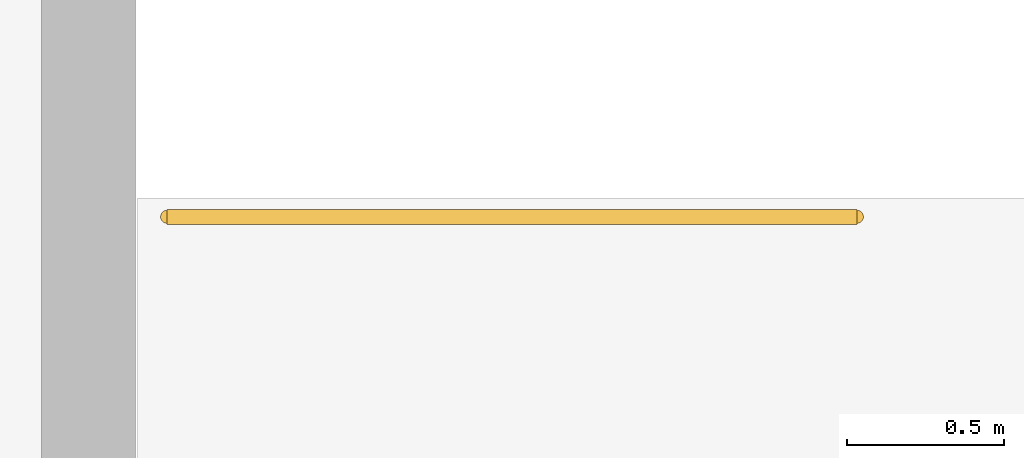
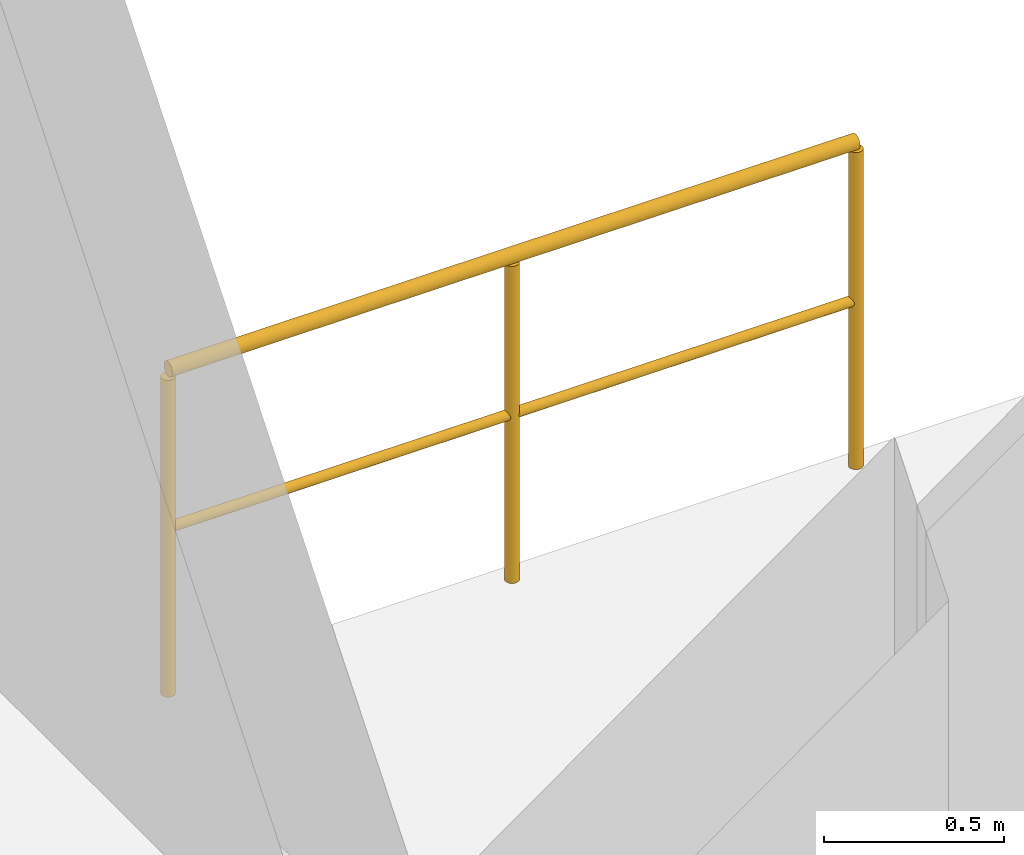
# One storey, part 82 of 109: 1 railing.
"""IFC4 building model written with IfcOpenShell, lengths in metres."""

from ifc_helpers import new_model, si_unit, derived_unit, direction, frame, origin, origin_2d, place, context, subcontext, project, spatial, circle, extrude, material, type_object, element, save


model = new_model("IFC4")

# Units and contexts
model_context = context("Model", 3, precision=1e-05, world=origin(), true_north=direction((0.0, 1.0)))
body_context = subcontext(model_context, "Body", "Model", "MODEL_VIEW")
ifc_project = project(units=[si_unit("LENGTHUNIT", "METRE"), si_unit("AREAUNIT", "SQUARE_METRE"), si_unit("VOLUMEUNIT", "CUBIC_METRE"), si_unit("PLANEANGLEUNIT", "RADIAN"), si_unit("MASSUNIT", "GRAM", prefix="KILO"), derived_unit("THERMALTRANSMITTANCEUNIT", [(si_unit("MASSUNIT", "GRAM", prefix="KILO"), 1), (si_unit("TIMEUNIT", "SECOND"), -3), (si_unit("THERMODYNAMICTEMPERATUREUNIT", "KELVIN"), -1)])], contexts=[model_context])

# Site, building, storey
site_placement = place(None, origin())
site = spatial("IfcSite", under=ifc_project, at=site_placement, CompositionType="ELEMENT")
building_placement = place(site_placement, origin())
building = spatial("IfcBuilding", under=site, at=building_placement, Name="Kharveza Railside Sports Centre", CompositionType="ELEMENT")
storey_placement = place(building_placement, frame((0.0, 0.0, 4.5)))
storey = spatial("IfcBuildingStorey", under=building, at=storey_placement, Name="L01", CompositionType="ELEMENT", Elevation=4.5)

# Railing
ifc_material = material(Name="Steel S275JR", Category="steel")
railing_type = type_object("IfcRailingType", Name="RL-GD110", PredefinedType="GUARDRAIL", material=ifc_material)
railing_placement = place(storey_placement, frame((94.300048828125, 23.60009765625, 0.0)))
element("IfcRailing", 1, at=railing_placement, inside=storey, type_object=railing_type, Name="RL-STTOP-ST10-L01", PredefinedType="GUARDRAIL", context=body_context, shape_type="SweptSolid", body=[
    extrude(circle(Radius=0.02392578125, at=origin_2d()), frame((0.0, 0.0, 1.09619140625), z_axis=(1.0, 0.0, 0.0), x_axis=(0.0, 1.0, 0.0)), (0.0, 0.0, 1.0), 2.199951171875),
    extrude(circle(Radius=0.01611328125, at=origin_2d()), frame((0.0, 0.0, 0.56005859375), z_axis=(1.0, 0.0, 0.0), x_axis=(0.0, 1.0, 0.0)), (0.0, 0.0, 1.0), 2.199951171875),
    extrude(circle(Radius=0.02099609375, at=origin_2d()), origin(), (0.0, 0.0, 1.0), 1.072021484375),
    extrude(circle(Radius=0.02099609375, at=origin_2d()), frame((1.10009765625, 0.0, 0.0)), (0.0, 0.0, 1.0), 1.072021484375),
    extrude(circle(Radius=0.02099609375, at=origin_2d()), frame((2.199951171875, 0.0, 0.0)), (0.0, 0.0, 1.0), 1.072021484375),
])

save(model, "model.ifc")
